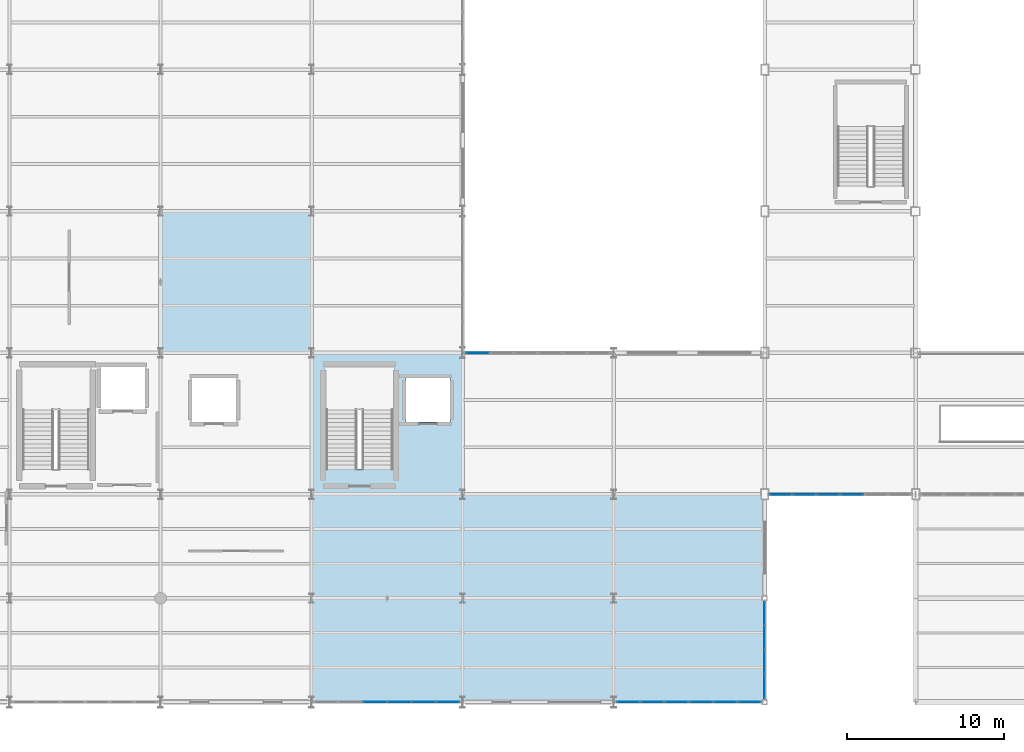
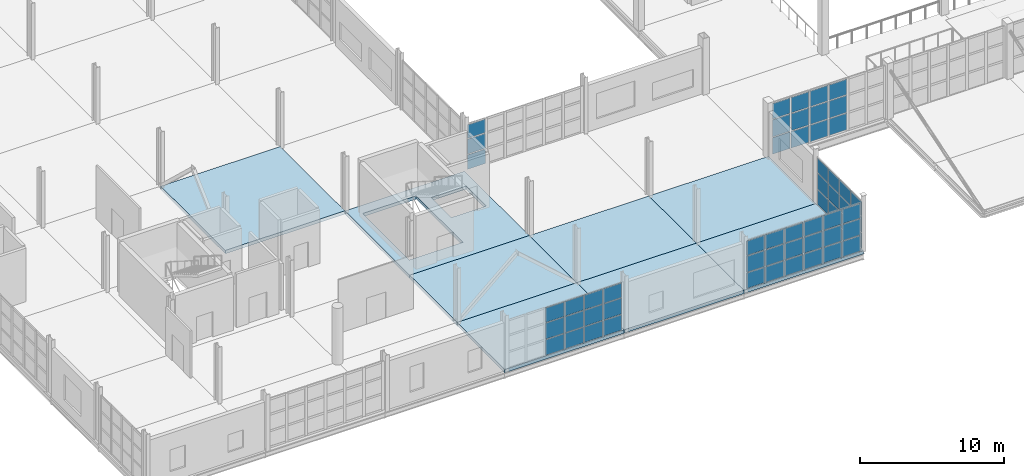
# One storey, part 74 of 120: 57 plates, 8 slabs, 5 elements without a shape of their own.
"""IFC4 building model written with IfcOpenShell, lengths in metres."""

from ifc_helpers import new_model, si_unit, direction, frame, origin, origin_2d, place, context, subcontext, project, spatial, polyline, rectangle, outline, extrude, material, layer, layer_set, type_object, element, aggregate, save


model = new_model("IFC4")

# Units and contexts
model_context = context("Model", 3, precision=1e-05, world=origin(), true_north=direction((0.0, 1.0)))
body_context = subcontext(model_context, "Body", "Model", "MODEL_VIEW")
ifc_project = project(units=[si_unit("LENGTHUNIT", "METRE"), si_unit("AREAUNIT", "SQUARE_METRE"), si_unit("VOLUMEUNIT", "CUBIC_METRE"), si_unit("PLANEANGLEUNIT", "RADIAN"), si_unit("MASSUNIT", "GRAM", prefix="KILO")], contexts=[model_context])

# Site, building, storey
site_placement = place(None, origin())
site = spatial("IfcSite", under=ifc_project, at=site_placement, CompositionType="ELEMENT")
building_placement = place(site_placement, origin())
building = spatial("IfcBuilding", under=site, at=building_placement, Name="Zarnetskaya Central Station", CompositionType="ELEMENT")
storey_placement = place(building_placement, frame((0.0, 0.0, 5.39990234375)))
storey = spatial("IfcBuildingStorey", under=building, at=storey_placement, Name="L01", CompositionType="ELEMENT", Elevation=5.39990234375)

# Curtain wall, plates
ifc_material_1 = material(Name="Low-E insulated glass", Category="glass")
ifc_layer_1 = layer(ifc_material_1, 0.16796875, Name="Low-E insulated glass", Category="glass")
ifc_layer_set_1 = layer_set([ifc_layer_1], Name="Low-E insulated glass")
curtain_wall_type_1 = type_object("IfcCurtainWallType", Name="CW-SYS-03", PredefinedType="USERDEFINED", material=ifc_layer_set_1)
curtain_wall_1_placement = place(storey_placement, origin())
curtain_wall_1 = element("IfcCurtainWall", 1, at=curtain_wall_1_placement, inside=storey, type_object=curtain_wall_type_1, Name="Curtain wall CW-L01-010", ObjectType="CURTAIN WALL", PredefinedType="USERDEFINED")
ifc_layer_2 = layer(ifc_material_1, 0.028076171875, Name="Low-E insulated glass", Category="glass")
ifc_layer_set_2 = layer_set([ifc_layer_2], Name="Low-E insulated glass")
plate_type_1 = type_object("IfcPlateType", Name="CW-PAN-28", PredefinedType="CURTAIN_PANEL", material=ifc_layer_set_2)
plate_1_placement = place(storey_placement, frame((39.344970703125, 22.199951171875, 0.080078125), z_axis=(0.0, 0.0, 1.0), x_axis=(1.0, 0.0, 0.0)))
plate_1 = element("IfcPlate", 2, at=plate_1_placement, type_object=plate_type_1, Name="CW-12 panel 1.1", PredefinedType="CURTAIN_PANEL", context=body_context, shape_type="SweptSolid", body=[
    extrude(rectangle(XDim=1.429931640625, YDim=0.028076171875, at=origin_2d()), origin(), (0.0, 0.0, 1.0), 1.219970703125),
])
plate_2_placement = place(storey_placement, frame((39.344970703125, 22.199951171875, 1.3798828125), z_axis=(0.0, 0.0, 1.0), x_axis=(1.0, 0.0, 0.0)))
plate_2 = element("IfcPlate", 3, at=plate_2_placement, type_object=plate_type_1, Name="CW-12 panel 1.2", PredefinedType="CURTAIN_PANEL", context=body_context, shape_type="SweptSolid", body=[
    extrude(rectangle(XDim=1.429931640625, YDim=0.028076171875, at=origin_2d()), origin(), (0.0, 0.0, 1.0), 1.259033203125),
])
plate_3_placement = place(storey_placement, frame((39.344970703125, 22.199951171875, 2.718994140625), z_axis=(0.0, 0.0, 1.0), x_axis=(1.0, 0.0, 0.0)))
plate_3 = element("IfcPlate", 4, at=plate_3_placement, type_object=plate_type_1, Name="CW-12 panel 1.3", PredefinedType="CURTAIN_PANEL", context=body_context, shape_type="SweptSolid", body=[
    extrude(rectangle(XDim=1.429931640625, YDim=0.028076171875, at=origin_2d()), origin(), (0.0, 0.0, 1.0), 1.14111328125),
])
aggregate(curtain_wall_1, [plate_1, plate_2, plate_3])

ifc_layer_3 = layer(ifc_material_1, 0.176025390625, Name="Low-E insulated glass", Category="glass")
ifc_layer_set_3 = layer_set([ifc_layer_3], Name="Low-E insulated glass")
curtain_wall_type_2 = type_object("IfcCurtainWallType", Name="CW-SYS-05", PredefinedType="USERDEFINED", material=ifc_layer_set_3)
curtain_wall_2_placement = place(storey_placement, origin())
curtain_wall_2 = element("IfcCurtainWall", 5, at=curtain_wall_2_placement, inside=storey, type_object=curtain_wall_type_2, Name="Curtain wall CW-L01-011", ObjectType="CURTAIN WALL", PredefinedType="USERDEFINED")
ifc_layer_4 = layer(ifc_material_1, 0.031982421875, Name="Low-E insulated glass", Category="glass")
ifc_layer_set_4 = layer_set([ifc_layer_4], Name="Low-E insulated glass")
plate_type_2 = type_object("IfcPlateType", Name="CW-PAN-32", PredefinedType="CURTAIN_PANEL", material=ifc_layer_set_4)
plate_4_placement = place(storey_placement, frame((57.60009765625, 5.624267578125, 0.0703125), z_axis=(0.0, 0.0, 1.0), x_axis=(0.0, -1.0, 0.0)))
plate_4 = element("IfcPlate", 6, at=plate_4_placement, type_object=plate_type_2, Name="CW-14 panel 1.1", PredefinedType="CURTAIN_PANEL", context=body_context, shape_type="SweptSolid", body=[
    extrude(rectangle(XDim=1.4560546875, YDim=0.031982421875, at=origin_2d()), origin(), (0.0, 0.0, 1.0), 1.281982421875),
])
plate_5_placement = place(storey_placement, frame((57.60009765625, 5.624267578125, 1.422119140625), z_axis=(0.0, 0.0, 1.0), x_axis=(0.0, -1.0, 0.0)))
plate_5 = element("IfcPlate", 7, at=plate_5_placement, type_object=plate_type_2, Name="CW-14 panel 1.2", PredefinedType="CURTAIN_PANEL", context=body_context, shape_type="SweptSolid", body=[
    extrude(rectangle(XDim=1.4560546875, YDim=0.031982421875, at=origin_2d()), origin(), (0.0, 0.0, 1.0), 1.31689453125),
])
plate_6_placement = place(storey_placement, frame((57.60009765625, 5.624267578125, 2.80908203125), z_axis=(0.0, 0.0, 1.0), x_axis=(0.0, -1.0, 0.0)))
plate_6 = element("IfcPlate", 8, at=plate_6_placement, type_object=plate_type_2, Name="CW-14 panel 1.3", PredefinedType="CURTAIN_PANEL", context=body_context, shape_type="SweptSolid", body=[
    extrude(rectangle(XDim=1.4560546875, YDim=0.031982421875, at=origin_2d()), origin(), (0.0, 0.0, 1.0), 1.200927734375),
])
plate_7_placement = place(storey_placement, frame((57.60009765625, 4.08056640625, 0.0703125), z_axis=(0.0, 0.0, 1.0), x_axis=(0.0, -1.0, 0.0)))
plate_7 = element("IfcPlate", 9, at=plate_7_placement, type_object=plate_type_2, Name="CW-14 panel 2.1", PredefinedType="CURTAIN_PANEL", context=body_context, shape_type="SweptSolid", body=[
    extrude(rectangle(XDim=1.4912109375, YDim=0.031982421875, at=origin_2d()), origin(), (0.0, 0.0, 1.0), 1.281982421875),
])
plate_8_placement = place(storey_placement, frame((57.60009765625, 4.08056640625, 1.422119140625), z_axis=(0.0, 0.0, 1.0), x_axis=(0.0, -1.0, 0.0)))
plate_8 = element("IfcPlate", 10, at=plate_8_placement, type_object=plate_type_2, Name="CW-14 panel 2.2", PredefinedType="CURTAIN_PANEL", context=body_context, shape_type="SweptSolid", body=[
    extrude(rectangle(XDim=1.4912109375, YDim=0.031982421875, at=origin_2d()), origin(), (0.0, 0.0, 1.0), 1.31689453125),
])
plate_9_placement = place(storey_placement, frame((57.60009765625, 4.08056640625, 2.80908203125), z_axis=(0.0, 0.0, 1.0), x_axis=(0.0, -1.0, 0.0)))
plate_9 = element("IfcPlate", 11, at=plate_9_placement, type_object=plate_type_2, Name="CW-14 panel 2.3", PredefinedType="CURTAIN_PANEL", context=body_context, shape_type="SweptSolid", body=[
    extrude(rectangle(XDim=1.4912109375, YDim=0.031982421875, at=origin_2d()), origin(), (0.0, 0.0, 1.0), 1.200927734375),
])
plate_10_placement = place(storey_placement, frame((57.60009765625, 2.51953125, 0.0703125), z_axis=(0.0, 0.0, 1.0), x_axis=(0.0, -1.0, 0.0)))
plate_10 = element("IfcPlate", 12, at=plate_10_placement, type_object=plate_type_2, Name="CW-14 panel 3.1", PredefinedType="CURTAIN_PANEL", context=body_context, shape_type="SweptSolid", body=[
    extrude(rectangle(XDim=1.4912109375, YDim=0.031982421875, at=origin_2d()), origin(), (0.0, 0.0, 1.0), 1.281982421875),
])
plate_11_placement = place(storey_placement, frame((57.60009765625, 2.51953125, 1.422119140625), z_axis=(0.0, 0.0, 1.0), x_axis=(0.0, -1.0, 0.0)))
plate_11 = element("IfcPlate", 13, at=plate_11_placement, type_object=plate_type_2, Name="CW-14 panel 3.2", PredefinedType="CURTAIN_PANEL", context=body_context, shape_type="SweptSolid", body=[
    extrude(rectangle(XDim=1.4912109375, YDim=0.031982421875, at=origin_2d()), origin(), (0.0, 0.0, 1.0), 1.31689453125),
])
plate_12_placement = place(storey_placement, frame((57.60009765625, 2.51953125, 2.80908203125), z_axis=(0.0, 0.0, 1.0), x_axis=(0.0, -1.0, 0.0)))
plate_12 = element("IfcPlate", 14, at=plate_12_placement, type_object=plate_type_2, Name="CW-14 panel 3.3", PredefinedType="CURTAIN_PANEL", context=body_context, shape_type="SweptSolid", body=[
    extrude(rectangle(XDim=1.4912109375, YDim=0.031982421875, at=origin_2d()), origin(), (0.0, 0.0, 1.0), 1.200927734375),
])
plate_13_placement = place(storey_placement, frame((57.60009765625, 0.975830078125, 0.0703125), z_axis=(0.0, 0.0, 1.0), x_axis=(0.0, -1.0, 0.0)))
plate_13 = element("IfcPlate", 15, at=plate_13_placement, type_object=plate_type_2, Name="CW-14 panel 4.1", PredefinedType="CURTAIN_PANEL", context=body_context, shape_type="SweptSolid", body=[
    extrude(rectangle(XDim=1.4560546875, YDim=0.031982421875, at=origin_2d()), origin(), (0.0, 0.0, 1.0), 1.281982421875),
])
plate_14_placement = place(storey_placement, frame((57.60009765625, 0.975830078125, 1.422119140625), z_axis=(0.0, 0.0, 1.0), x_axis=(0.0, -1.0, 0.0)))
plate_14 = element("IfcPlate", 16, at=plate_14_placement, type_object=plate_type_2, Name="CW-14 panel 4.2", PredefinedType="CURTAIN_PANEL", context=body_context, shape_type="SweptSolid", body=[
    extrude(rectangle(XDim=1.4560546875, YDim=0.031982421875, at=origin_2d()), origin(), (0.0, 0.0, 1.0), 1.31689453125),
])
plate_15_placement = place(storey_placement, frame((57.60009765625, 0.975830078125, 2.80908203125), z_axis=(0.0, 0.0, 1.0), x_axis=(0.0, -1.0, 0.0)))
plate_15 = element("IfcPlate", 17, at=plate_15_placement, type_object=plate_type_2, Name="CW-14 panel 4.3", PredefinedType="CURTAIN_PANEL", context=body_context, shape_type="SweptSolid", body=[
    extrude(rectangle(XDim=1.4560546875, YDim=0.031982421875, at=origin_2d()), origin(), (0.0, 0.0, 1.0), 1.200927734375),
])
aggregate(curtain_wall_2, [plate_4, plate_5, plate_6, plate_7, plate_8, plate_9, plate_10, plate_11, plate_12, plate_13, plate_14, plate_15])

curtain_wall_3_placement = place(storey_placement, origin())
curtain_wall_3 = element("IfcCurtainWall", 18, at=curtain_wall_3_placement, inside=storey, type_object=curtain_wall_type_1, Name="Curtain wall CW-L01-012", ObjectType="CURTAIN WALL", PredefinedType="USERDEFINED")
ifc_layer_5 = layer(ifc_material_1, 0.035888671875, Name="Low-E insulated glass", Category="glass")
ifc_layer_set_5 = layer_set([ifc_layer_5], Name="Low-E insulated glass")
plate_type_3 = type_object("IfcPlateType", Name="CW-PAN-36", PredefinedType="CURTAIN_PANEL", material=ifc_layer_set_5)
plate_16_placement = place(storey_placement, frame((56.629638671875, 0.0, 0.080078125), z_axis=(0.0, 0.0, 1.0), x_axis=(-1.0, 0.0, 0.0)))
plate_16 = element("IfcPlate", 19, at=plate_16_placement, type_object=plate_type_3, Name="CW-12 panel 1.1", PredefinedType="CURTAIN_PANEL", context=body_context, shape_type="SweptSolid", body=[
    extrude(rectangle(XDim=1.42529296875, YDim=0.035888671875, at=origin_2d()), origin(), (0.0, 0.0, 1.0), 1.301025390625),
])
plate_17_placement = place(storey_placement, frame((56.629638671875, 0.0, 1.4609375), z_axis=(0.0, 0.0, 1.0), x_axis=(-1.0, 0.0, 0.0)))
plate_17 = element("IfcPlate", 20, at=plate_17_placement, type_object=plate_type_3, Name="CW-12 panel 1.2", PredefinedType="CURTAIN_PANEL", context=body_context, shape_type="SweptSolid", body=[
    extrude(rectangle(XDim=1.42529296875, YDim=0.035888671875, at=origin_2d()), origin(), (0.0, 0.0, 1.0), 1.341064453125),
])
plate_18_placement = place(storey_placement, frame((56.629638671875, 0.0, 2.88232421875), z_axis=(0.0, 0.0, 1.0), x_axis=(-1.0, 0.0, 0.0)))
plate_18 = element("IfcPlate", 21, at=plate_18_placement, type_object=plate_type_3, Name="CW-12 panel 1.3", PredefinedType="CURTAIN_PANEL", context=body_context, shape_type="SweptSolid", body=[
    extrude(rectangle(XDim=1.42529296875, YDim=0.035888671875, at=origin_2d()), origin(), (0.0, 0.0, 1.0), 1.218017578125),
])
plate_19_placement = place(storey_placement, frame((55.104248046875, 0.0, 0.080078125), z_axis=(0.0, 0.0, 1.0), x_axis=(-1.0, 0.0, 0.0)))
plate_19 = element("IfcPlate", 22, at=plate_19_placement, type_object=plate_type_3, Name="CW-12 panel 2.1", PredefinedType="CURTAIN_PANEL", context=body_context, shape_type="SweptSolid", body=[
    extrude(rectangle(XDim=1.46533203125, YDim=0.035888671875, at=origin_2d()), origin(), (0.0, 0.0, 1.0), 1.301025390625),
])
plate_20_placement = place(storey_placement, frame((55.104248046875, 0.0, 1.4609375), z_axis=(0.0, 0.0, 1.0), x_axis=(-1.0, 0.0, 0.0)))
plate_20 = element("IfcPlate", 23, at=plate_20_placement, type_object=plate_type_3, Name="CW-12 panel 2.2", PredefinedType="CURTAIN_PANEL", context=body_context, shape_type="SweptSolid", body=[
    extrude(rectangle(XDim=1.46533203125, YDim=0.035888671875, at=origin_2d()), origin(), (0.0, 0.0, 1.0), 1.341064453125),
])
plate_21_placement = place(storey_placement, frame((55.104248046875, 0.0, 2.88232421875), z_axis=(0.0, 0.0, 1.0), x_axis=(-1.0, 0.0, 0.0)))
plate_21 = element("IfcPlate", 24, at=plate_21_placement, type_object=plate_type_3, Name="CW-12 panel 2.3", PredefinedType="CURTAIN_PANEL", context=body_context, shape_type="SweptSolid", body=[
    extrude(rectangle(XDim=1.46533203125, YDim=0.035888671875, at=origin_2d()), origin(), (0.0, 0.0, 1.0), 1.218017578125),
])
plate_22_placement = place(storey_placement, frame((53.558837890625, 0.0, 0.080078125), z_axis=(0.0, 0.0, 1.0), x_axis=(-1.0, 0.0, 0.0)))
plate_22 = element("IfcPlate", 25, at=plate_22_placement, type_object=plate_type_3, Name="CW-12 panel 3.1", PredefinedType="CURTAIN_PANEL", context=body_context, shape_type="SweptSolid", body=[
    extrude(rectangle(XDim=1.46533203125, YDim=0.035888671875, at=origin_2d()), origin(), (0.0, 0.0, 1.0), 1.301025390625),
])
plate_23_placement = place(storey_placement, frame((53.558837890625, 0.0, 1.4609375), z_axis=(0.0, 0.0, 1.0), x_axis=(-1.0, 0.0, 0.0)))
plate_23 = element("IfcPlate", 26, at=plate_23_placement, type_object=plate_type_3, Name="CW-12 panel 3.2", PredefinedType="CURTAIN_PANEL", context=body_context, shape_type="SweptSolid", body=[
    extrude(rectangle(XDim=1.46533203125, YDim=0.035888671875, at=origin_2d()), origin(), (0.0, 0.0, 1.0), 1.341064453125),
])
plate_24_placement = place(storey_placement, frame((53.558837890625, 0.0, 2.88232421875), z_axis=(0.0, 0.0, 1.0), x_axis=(-1.0, 0.0, 0.0)))
plate_24 = element("IfcPlate", 27, at=plate_24_placement, type_object=plate_type_3, Name="CW-12 panel 3.3", PredefinedType="CURTAIN_PANEL", context=body_context, shape_type="SweptSolid", body=[
    extrude(rectangle(XDim=1.46533203125, YDim=0.035888671875, at=origin_2d()), origin(), (0.0, 0.0, 1.0), 1.218017578125),
])
plate_25_placement = place(storey_placement, frame((52.013427734375, 0.0, 0.080078125), z_axis=(0.0, 0.0, 1.0), x_axis=(-1.0, 0.0, 0.0)))
plate_25 = element("IfcPlate", 28, at=plate_25_placement, type_object=plate_type_3, Name="CW-12 panel 4.1", PredefinedType="CURTAIN_PANEL", context=body_context, shape_type="SweptSolid", body=[
    extrude(rectangle(XDim=1.46533203125, YDim=0.035888671875, at=origin_2d()), origin(), (0.0, 0.0, 1.0), 1.301025390625),
])
plate_26_placement = place(storey_placement, frame((52.013427734375, 0.0, 1.4609375), z_axis=(0.0, 0.0, 1.0), x_axis=(-1.0, 0.0, 0.0)))
plate_26 = element("IfcPlate", 29, at=plate_26_placement, type_object=plate_type_3, Name="CW-12 panel 4.2", PredefinedType="CURTAIN_PANEL", context=body_context, shape_type="SweptSolid", body=[
    extrude(rectangle(XDim=1.46533203125, YDim=0.035888671875, at=origin_2d()), origin(), (0.0, 0.0, 1.0), 1.341064453125),
])
plate_27_placement = place(storey_placement, frame((52.013427734375, 0.0, 2.88232421875), z_axis=(0.0, 0.0, 1.0), x_axis=(-1.0, 0.0, 0.0)))
plate_27 = element("IfcPlate", 30, at=plate_27_placement, type_object=plate_type_3, Name="CW-12 panel 4.3", PredefinedType="CURTAIN_PANEL", context=body_context, shape_type="SweptSolid", body=[
    extrude(rectangle(XDim=1.46533203125, YDim=0.035888671875, at=origin_2d()), origin(), (0.0, 0.0, 1.0), 1.218017578125),
])
plate_28_placement = place(storey_placement, frame((50.468017578125, 0.0, 0.080078125), z_axis=(0.0, 0.0, 1.0), x_axis=(-1.0, 0.0, 0.0)))
plate_28 = element("IfcPlate", 31, at=plate_28_placement, type_object=plate_type_3, Name="CW-12 panel 5.1", PredefinedType="CURTAIN_PANEL", context=body_context, shape_type="SweptSolid", body=[
    extrude(rectangle(XDim=1.46533203125, YDim=0.035888671875, at=origin_2d()), origin(), (0.0, 0.0, 1.0), 1.301025390625),
])
plate_29_placement = place(storey_placement, frame((50.468017578125, 0.0, 1.4609375), z_axis=(0.0, 0.0, 1.0), x_axis=(-1.0, 0.0, 0.0)))
plate_29 = element("IfcPlate", 32, at=plate_29_placement, type_object=plate_type_3, Name="CW-12 panel 5.2", PredefinedType="CURTAIN_PANEL", context=body_context, shape_type="SweptSolid", body=[
    extrude(rectangle(XDim=1.46533203125, YDim=0.035888671875, at=origin_2d()), origin(), (0.0, 0.0, 1.0), 1.341064453125),
])
plate_30_placement = place(storey_placement, frame((50.468017578125, 0.0, 2.88232421875), z_axis=(0.0, 0.0, 1.0), x_axis=(-1.0, 0.0, 0.0)))
plate_30 = element("IfcPlate", 33, at=plate_30_placement, type_object=plate_type_3, Name="CW-12 panel 5.3", PredefinedType="CURTAIN_PANEL", context=body_context, shape_type="SweptSolid", body=[
    extrude(rectangle(XDim=1.46533203125, YDim=0.035888671875, at=origin_2d()), origin(), (0.0, 0.0, 1.0), 1.218017578125),
])
plate_31_placement = place(storey_placement, frame((48.942626953125, 0.0, 0.080078125), z_axis=(0.0, 0.0, 1.0), x_axis=(-1.0, 0.0, 0.0)))
plate_31 = element("IfcPlate", 34, at=plate_31_placement, type_object=plate_type_3, Name="CW-12 panel 6.1", PredefinedType="CURTAIN_PANEL", context=body_context, shape_type="SweptSolid", body=[
    extrude(rectangle(XDim=1.42529296875, YDim=0.035888671875, at=origin_2d()), origin(), (0.0, 0.0, 1.0), 1.301025390625),
])
plate_32_placement = place(storey_placement, frame((48.942626953125, 0.0, 1.4609375), z_axis=(0.0, 0.0, 1.0), x_axis=(-1.0, 0.0, 0.0)))
plate_32 = element("IfcPlate", 35, at=plate_32_placement, type_object=plate_type_3, Name="CW-12 panel 6.2", PredefinedType="CURTAIN_PANEL", context=body_context, shape_type="SweptSolid", body=[
    extrude(rectangle(XDim=1.42529296875, YDim=0.035888671875, at=origin_2d()), origin(), (0.0, 0.0, 1.0), 1.341064453125),
])
plate_33_placement = place(storey_placement, frame((48.942626953125, 0.0, 2.88232421875), z_axis=(0.0, 0.0, 1.0), x_axis=(-1.0, 0.0, 0.0)))
plate_33 = element("IfcPlate", 36, at=plate_33_placement, type_object=plate_type_3, Name="CW-12 panel 6.3", PredefinedType="CURTAIN_PANEL", context=body_context, shape_type="SweptSolid", body=[
    extrude(rectangle(XDim=1.42529296875, YDim=0.035888671875, at=origin_2d()), origin(), (0.0, 0.0, 1.0), 1.218017578125),
])
aggregate(curtain_wall_3, [plate_16, plate_17, plate_18, plate_19, plate_20, plate_21, plate_22, plate_23, plate_24, plate_25, plate_26, plate_27, plate_28, plate_29, plate_30, plate_31, plate_32, plate_33])

curtain_wall_4_placement = place(storey_placement, origin())
curtain_wall_4 = element("IfcCurtainWall", 37, at=curtain_wall_4_placement, inside=storey, type_object=curtain_wall_type_2, Name="Curtain wall CW-L01-013", ObjectType="CURTAIN WALL", PredefinedType="USERDEFINED")
ifc_layer_6 = layer(ifc_material_1, 0.0400390625, Name="Low-E insulated glass", Category="glass")
ifc_layer_set_6 = layer_set([ifc_layer_6], Name="Low-E insulated glass")
plate_type_4 = type_object("IfcPlateType", Name="CW-PAN-40", PredefinedType="CURTAIN_PANEL", material=ifc_layer_set_6)
plate_34_placement = place(storey_placement, frame((37.45751953125, 0.0, 0.0703125), z_axis=(0.0, 0.0, 1.0), x_axis=(-1.0, 0.0, 0.0)))
plate_34 = element("IfcPlate", 38, at=plate_34_placement, type_object=plate_type_4, Name="CW-14 panel 1.1", PredefinedType="CURTAIN_PANEL", context=body_context, shape_type="SweptSolid", body=[
    extrude(rectangle(XDim=1.445068359375, YDim=0.0400390625, at=origin_2d()), origin(), (0.0, 0.0, 1.0), 1.302978515625),
])
plate_35_placement = place(storey_placement, frame((37.45751953125, 0.0, 1.443115234375), z_axis=(0.0, 0.0, 1.0), x_axis=(-1.0, 0.0, 0.0)))
plate_35 = element("IfcPlate", 39, at=plate_35_placement, type_object=plate_type_4, Name="CW-14 panel 1.2", PredefinedType="CURTAIN_PANEL", context=body_context, shape_type="SweptSolid", body=[
    extrude(rectangle(XDim=1.445068359375, YDim=0.0400390625, at=origin_2d()), origin(), (0.0, 0.0, 1.0), 1.3369140625),
])
plate_36_placement = place(storey_placement, frame((37.45751953125, 0.0, 2.85009765625), z_axis=(0.0, 0.0, 1.0), x_axis=(-1.0, 0.0, 0.0)))
plate_36 = element("IfcPlate", 40, at=plate_36_placement, type_object=plate_type_4, Name="CW-14 panel 1.3", PredefinedType="CURTAIN_PANEL", context=body_context, shape_type="SweptSolid", body=[
    extrude(rectangle(XDim=1.445068359375, YDim=0.0400390625, at=origin_2d()), origin(), (0.0, 0.0, 1.0), 1.219970703125),
])
plate_37_placement = place(storey_placement, frame((35.925048828125, 0.0, 0.0703125), z_axis=(0.0, 0.0, 1.0), x_axis=(-1.0, 0.0, 0.0)))
plate_37 = element("IfcPlate", 41, at=plate_37_placement, type_object=plate_type_4, Name="CW-14 panel 2.1", PredefinedType="CURTAIN_PANEL", context=body_context, shape_type="SweptSolid", body=[
    extrude(rectangle(XDim=1.47998046875, YDim=0.0400390625, at=origin_2d()), origin(), (0.0, 0.0, 1.0), 1.302978515625),
])
plate_38_placement = place(storey_placement, frame((35.925048828125, 0.0, 1.443115234375), z_axis=(0.0, 0.0, 1.0), x_axis=(-1.0, 0.0, 0.0)))
plate_38 = element("IfcPlate", 42, at=plate_38_placement, type_object=plate_type_4, Name="CW-14 panel 2.2", PredefinedType="CURTAIN_PANEL", context=body_context, shape_type="SweptSolid", body=[
    extrude(rectangle(XDim=1.47998046875, YDim=0.0400390625, at=origin_2d()), origin(), (0.0, 0.0, 1.0), 1.3369140625),
])
plate_39_placement = place(storey_placement, frame((35.925048828125, 0.0, 2.85009765625), z_axis=(0.0, 0.0, 1.0), x_axis=(-1.0, 0.0, 0.0)))
plate_39 = element("IfcPlate", 43, at=plate_39_placement, type_object=plate_type_4, Name="CW-14 panel 2.3", PredefinedType="CURTAIN_PANEL", context=body_context, shape_type="SweptSolid", body=[
    extrude(rectangle(XDim=1.47998046875, YDim=0.0400390625, at=origin_2d()), origin(), (0.0, 0.0, 1.0), 1.219970703125),
])
plate_40_placement = place(storey_placement, frame((34.375, 0.0, 0.0703125), z_axis=(0.0, 0.0, 1.0), x_axis=(-1.0, 0.0, 0.0)))
plate_40 = element("IfcPlate", 44, at=plate_40_placement, type_object=plate_type_4, Name="CW-14 panel 3.1", PredefinedType="CURTAIN_PANEL", context=body_context, shape_type="SweptSolid", body=[
    extrude(rectangle(XDim=1.47998046875, YDim=0.0400390625, at=origin_2d()), origin(), (0.0, 0.0, 1.0), 1.302978515625),
])
plate_41_placement = place(storey_placement, frame((34.375, 0.0, 1.443115234375), z_axis=(0.0, 0.0, 1.0), x_axis=(-1.0, 0.0, 0.0)))
plate_41 = element("IfcPlate", 45, at=plate_41_placement, type_object=plate_type_4, Name="CW-14 panel 3.2", PredefinedType="CURTAIN_PANEL", context=body_context, shape_type="SweptSolid", body=[
    extrude(rectangle(XDim=1.47998046875, YDim=0.0400390625, at=origin_2d()), origin(), (0.0, 0.0, 1.0), 1.3369140625),
])
plate_42_placement = place(storey_placement, frame((34.375, 0.0, 2.85009765625), z_axis=(0.0, 0.0, 1.0), x_axis=(-1.0, 0.0, 0.0)))
plate_42 = element("IfcPlate", 46, at=plate_42_placement, type_object=plate_type_4, Name="CW-14 panel 3.3", PredefinedType="CURTAIN_PANEL", context=body_context, shape_type="SweptSolid", body=[
    extrude(rectangle(XDim=1.47998046875, YDim=0.0400390625, at=origin_2d()), origin(), (0.0, 0.0, 1.0), 1.219970703125),
])
plate_43_placement = place(storey_placement, frame((32.824951171875, 0.0, 0.0703125), z_axis=(0.0, 0.0, 1.0), x_axis=(-1.0, 0.0, 0.0)))
plate_43 = element("IfcPlate", 47, at=plate_43_placement, type_object=plate_type_4, Name="CW-14 panel 4.1", PredefinedType="CURTAIN_PANEL", context=body_context, shape_type="SweptSolid", body=[
    extrude(rectangle(XDim=1.47998046875, YDim=0.0400390625, at=origin_2d()), origin(), (0.0, 0.0, 1.0), 1.302978515625),
])
plate_44_placement = place(storey_placement, frame((32.824951171875, 0.0, 1.443115234375), z_axis=(0.0, 0.0, 1.0), x_axis=(-1.0, 0.0, 0.0)))
plate_44 = element("IfcPlate", 48, at=plate_44_placement, type_object=plate_type_4, Name="CW-14 panel 4.2", PredefinedType="CURTAIN_PANEL", context=body_context, shape_type="SweptSolid", body=[
    extrude(rectangle(XDim=1.47998046875, YDim=0.0400390625, at=origin_2d()), origin(), (0.0, 0.0, 1.0), 1.3369140625),
])
plate_45_placement = place(storey_placement, frame((32.824951171875, 0.0, 2.85009765625), z_axis=(0.0, 0.0, 1.0), x_axis=(-1.0, 0.0, 0.0)))
plate_45 = element("IfcPlate", 49, at=plate_45_placement, type_object=plate_type_4, Name="CW-14 panel 4.3", PredefinedType="CURTAIN_PANEL", context=body_context, shape_type="SweptSolid", body=[
    extrude(rectangle(XDim=1.47998046875, YDim=0.0400390625, at=origin_2d()), origin(), (0.0, 0.0, 1.0), 1.219970703125),
])
aggregate(curtain_wall_4, [plate_34, plate_35, plate_36, plate_37, plate_38, plate_39, plate_40, plate_41, plate_42, plate_43, plate_44, plate_45])

ifc_layer_7 = layer(ifc_material_1, 0.16796875, Name="Low-E insulated glass", Category="glass")
ifc_layer_set_7 = layer_set([ifc_layer_7], Name="Low-E insulated glass")
curtain_wall_type_3 = type_object("IfcCurtainWallType", Name="CW-SYS-08", PredefinedType="USERDEFINED", material=ifc_layer_set_7)
curtain_wall_5_placement = place(storey_placement, origin())
curtain_wall_5 = element("IfcCurtainWall", 50, at=curtain_wall_5_placement, inside=storey, type_object=curtain_wall_type_3, Name="Curtain wall CW-L01-074", ObjectType="CURTAIN WALL", PredefinedType="USERDEFINED")
ifc_layer_8 = layer(ifc_material_1, 0.0439453125, Name="Low-E insulated glass", Category="glass")
ifc_layer_set_8 = layer_set([ifc_layer_8], Name="Low-E insulated glass")
plate_type_5 = type_object("IfcPlateType", Name="CW-PAN-44", PredefinedType="CURTAIN_PANEL", material=ifc_layer_set_8)
plate_46_placement = place(storey_placement, frame((63.158447265625, 13.199951171875, 0.080078125), z_axis=(0.0, 0.0, 1.0), x_axis=(-1.0, 0.0, 0.0)))
plate_46 = element("IfcPlate", 51, at=plate_46_placement, type_object=plate_type_5, Name="CW-16 panel 3.1", PredefinedType="CURTAIN_PANEL", context=body_context, shape_type="SweptSolid", body=[
    extrude(rectangle(XDim=1.436767578125, YDim=0.0439453125, at=origin_2d()), origin(), (0.0, 0.0, 1.0), 1.39306640625),
])
plate_47_placement = place(storey_placement, frame((63.158447265625, 13.199951171875, 1.552978515625), z_axis=(0.0, 0.0, 1.0), x_axis=(-1.0, 0.0, 0.0)))
plate_47 = element("IfcPlate", 52, at=plate_47_placement, type_object=plate_type_5, Name="CW-16 panel 3.2", PredefinedType="CURTAIN_PANEL", context=body_context, shape_type="SweptSolid", body=[
    extrude(rectangle(XDim=1.436767578125, YDim=0.0439453125, at=origin_2d()), origin(), (0.0, 0.0, 1.0), 1.43310546875),
])
plate_48_placement = place(storey_placement, frame((63.158447265625, 13.199951171875, 3.06591796875), z_axis=(0.0, 0.0, 1.0), x_axis=(-1.0, 0.0, 0.0)))
plate_48 = element("IfcPlate", 53, at=plate_48_placement, type_object=plate_type_5, Name="CW-16 panel 3.3", PredefinedType="CURTAIN_PANEL", context=body_context, shape_type="SweptSolid", body=[
    extrude(rectangle(XDim=1.436767578125, YDim=0.0439453125, at=origin_2d()), origin(), (0.0, 0.0, 1.0), 1.303955078125),
])
plate_49_placement = place(storey_placement, frame((61.6416015625, 13.199951171875, 0.080078125), z_axis=(0.0, 0.0, 1.0), x_axis=(-1.0, 0.0, 0.0)))
plate_49 = element("IfcPlate", 54, at=plate_49_placement, type_object=plate_type_5, Name="CW-16 panel 4.1", PredefinedType="CURTAIN_PANEL", context=body_context, shape_type="SweptSolid", body=[
    extrude(rectangle(XDim=1.436767578125, YDim=0.0439453125, at=origin_2d()), origin(), (0.0, 0.0, 1.0), 1.39306640625),
])
plate_50_placement = place(storey_placement, frame((61.6416015625, 13.199951171875, 1.552978515625), z_axis=(0.0, 0.0, 1.0), x_axis=(-1.0, 0.0, 0.0)))
plate_50 = element("IfcPlate", 55, at=plate_50_placement, type_object=plate_type_5, Name="CW-16 panel 4.2", PredefinedType="CURTAIN_PANEL", context=body_context, shape_type="SweptSolid", body=[
    extrude(rectangle(XDim=1.436767578125, YDim=0.0439453125, at=origin_2d()), origin(), (0.0, 0.0, 1.0), 1.43310546875),
])
plate_51_placement = place(storey_placement, frame((61.6416015625, 13.199951171875, 3.06591796875), z_axis=(0.0, 0.0, 1.0), x_axis=(-1.0, 0.0, 0.0)))
plate_51 = element("IfcPlate", 56, at=plate_51_placement, type_object=plate_type_5, Name="CW-16 panel 4.3", PredefinedType="CURTAIN_PANEL", context=body_context, shape_type="SweptSolid", body=[
    extrude(rectangle(XDim=1.436767578125, YDim=0.0439453125, at=origin_2d()), origin(), (0.0, 0.0, 1.0), 1.303955078125),
])
plate_52_placement = place(storey_placement, frame((60.125, 13.199951171875, 0.080078125), z_axis=(0.0, 0.0, 1.0), x_axis=(-1.0, 0.0, 0.0)))
plate_52 = element("IfcPlate", 57, at=plate_52_placement, type_object=plate_type_5, Name="CW-16 panel 5.1", PredefinedType="CURTAIN_PANEL", context=body_context, shape_type="SweptSolid", body=[
    extrude(rectangle(XDim=1.436767578125, YDim=0.0439453125, at=origin_2d()), origin(), (0.0, 0.0, 1.0), 1.39306640625),
])
plate_53_placement = place(storey_placement, frame((60.125, 13.199951171875, 1.552978515625), z_axis=(0.0, 0.0, 1.0), x_axis=(-1.0, 0.0, 0.0)))
plate_53 = element("IfcPlate", 58, at=plate_53_placement, type_object=plate_type_5, Name="CW-16 panel 5.2", PredefinedType="CURTAIN_PANEL", context=body_context, shape_type="SweptSolid", body=[
    extrude(rectangle(XDim=1.436767578125, YDim=0.0439453125, at=origin_2d()), origin(), (0.0, 0.0, 1.0), 1.43310546875),
])
plate_54_placement = place(storey_placement, frame((60.125, 13.199951171875, 3.06591796875), z_axis=(0.0, 0.0, 1.0), x_axis=(-1.0, 0.0, 0.0)))
plate_54 = element("IfcPlate", 59, at=plate_54_placement, type_object=plate_type_5, Name="CW-16 panel 5.3", PredefinedType="CURTAIN_PANEL", context=body_context, shape_type="SweptSolid", body=[
    extrude(rectangle(XDim=1.436767578125, YDim=0.0439453125, at=origin_2d()), origin(), (0.0, 0.0, 1.0), 1.303955078125),
])
plate_55_placement = place(storey_placement, frame((58.62841796875, 13.199951171875, 0.080078125), z_axis=(0.0, 0.0, 1.0), x_axis=(-1.0, 0.0, 0.0)))
plate_55 = element("IfcPlate", 60, at=plate_55_placement, type_object=plate_type_5, Name="CW-16 panel 6.1", PredefinedType="CURTAIN_PANEL", context=body_context, shape_type="SweptSolid", body=[
    extrude(rectangle(XDim=1.396728515625, YDim=0.0439453125, at=origin_2d()), origin(), (0.0, 0.0, 1.0), 1.39306640625),
])
plate_56_placement = place(storey_placement, frame((58.62841796875, 13.199951171875, 1.552978515625), z_axis=(0.0, 0.0, 1.0), x_axis=(-1.0, 0.0, 0.0)))
plate_56 = element("IfcPlate", 61, at=plate_56_placement, type_object=plate_type_5, Name="CW-16 panel 6.2", PredefinedType="CURTAIN_PANEL", context=body_context, shape_type="SweptSolid", body=[
    extrude(rectangle(XDim=1.396728515625, YDim=0.0439453125, at=origin_2d()), origin(), (0.0, 0.0, 1.0), 1.43310546875),
])
plate_57_placement = place(storey_placement, frame((58.62841796875, 13.199951171875, 3.06591796875), z_axis=(0.0, 0.0, 1.0), x_axis=(-1.0, 0.0, 0.0)))
plate_57 = element("IfcPlate", 62, at=plate_57_placement, type_object=plate_type_5, Name="CW-16 panel 6.3", PredefinedType="CURTAIN_PANEL", context=body_context, shape_type="SweptSolid", body=[
    extrude(rectangle(XDim=1.396728515625, YDim=0.0439453125, at=origin_2d()), origin(), (0.0, 0.0, 1.0), 1.303955078125),
])
aggregate(curtain_wall_5, [plate_46, plate_47, plate_48, plate_49, plate_50, plate_51, plate_52, plate_53, plate_54, plate_55, plate_56, plate_57])

# Slabs
ifc_material_2 = material(Name="Concrete C30/37", Category="concrete")
ifc_layer_9 = layer(ifc_material_2, 0.280029296875, Name="Concrete C30/37", Category="concrete")
ifc_layer_set_9 = layer_set([ifc_layer_9], Name="Concrete C30/37")
slab_type = type_object("IfcSlabType", Name="SLAB-BRG-280", PredefinedType="FLOOR", material=ifc_layer_set_9)
slab_1_placement = place(storey_placement, frame((0.0, 0.0, -0.27978515625)))
element("IfcSlab", 63, at=slab_1_placement, inside=storey, type_object=slab_type, Name="L01 slab C-D/4-5", PredefinedType="FLOOR", context=body_context, shape_type="SweptSolid", body=[
    extrude(outline(polyline([(19.199951171875, 22.199951171875), (28.800048828125, 22.199951171875), (28.800048828125, 31.199951171875), (19.199951171875, 31.199951171875), (19.199951171875, 22.199951171875)])), origin(), (0.0, 0.0, 1.0), 0.27978515625),
])
slab_2_placement = place(storey_placement, frame((0.0, 0.0, -0.27978515625)))
element("IfcSlab", 64, at=slab_2_placement, inside=storey, type_object=slab_type, Name="L01 slab D-E/1-2", PredefinedType="FLOOR", context=body_context, shape_type="SweptSolid", body=[
    extrude(outline(polyline([(28.800048828125, 0.0), (38.39990234375, 0.0), (38.39990234375, 6.60009765625), (28.800048828125, 6.60009765625), (28.800048828125, 0.0)])), origin(), (0.0, 0.0, 1.0), 0.27978515625),
])
slab_3_placement = place(storey_placement, frame((0.0, 0.0, -0.27978515625)))
element("IfcSlab", 65, at=slab_3_placement, inside=storey, type_object=slab_type, Name="L01 slab D-E/2-3", PredefinedType="FLOOR", context=body_context, shape_type="SweptSolid", body=[
    extrude(outline(polyline([(28.800048828125, 6.60009765625), (38.39990234375, 6.60009765625), (38.39990234375, 13.199951171875), (28.800048828125, 13.199951171875), (28.800048828125, 6.60009765625)])), origin(), (0.0, 0.0, 1.0), 0.27978515625),
])
slab_4_placement = place(storey_placement, frame((0.0, 0.0, -0.27978515625)))
element("IfcSlab", 66, at=slab_4_placement, inside=storey, type_object=slab_type, Name="L01 slab D-E/3-4", PredefinedType="FLOOR", context=body_context, shape_type="SweptSolid", body=[
    extrude(outline(polyline([(28.800048828125, 13.199951171875), (38.39990234375, 13.199951171875), (38.39990234375, 22.199951171875), (28.800048828125, 22.199951171875), (28.800048828125, 13.199951171875)]), holes=[polyline([(29.699951171875, 14.804931640625), (34.0, 14.804931640625), (34.0, 21.300048828125), (29.699951171875, 21.300048828125), (29.699951171875, 14.804931640625)]), polyline([(34.800048828125, 17.800048828125), (37.60009765625, 17.800048828125), (37.60009765625, 20.60009765625), (34.800048828125, 20.60009765625), (34.800048828125, 17.800048828125)])]), origin(), (0.0, 0.0, 1.0), 0.27978515625),
])
slab_5_placement = place(storey_placement, frame((0.0, 0.0, -0.27978515625)))
element("IfcSlab", 67, at=slab_5_placement, inside=storey, type_object=slab_type, Name="L01 slab E-F/1-2", PredefinedType="FLOOR", context=body_context, shape_type="SweptSolid", body=[
    extrude(outline(polyline([(38.39990234375, 0.0), (48.0, 0.0), (48.0, 6.60009765625), (38.39990234375, 6.60009765625), (38.39990234375, 0.0)])), origin(), (0.0, 0.0, 1.0), 0.27978515625),
])
slab_6_placement = place(storey_placement, frame((0.0, 0.0, -0.27978515625)))
element("IfcSlab", 68, at=slab_6_placement, inside=storey, type_object=slab_type, Name="L01 slab E-F/2-3", PredefinedType="FLOOR", context=body_context, shape_type="SweptSolid", body=[
    extrude(outline(polyline([(38.39990234375, 6.60009765625), (48.0, 6.60009765625), (48.0, 13.199951171875), (38.39990234375, 13.199951171875), (38.39990234375, 6.60009765625)])), origin(), (0.0, 0.0, 1.0), 0.27978515625),
])
slab_7_placement = place(storey_placement, frame((0.0, 0.0, -0.27978515625)))
element("IfcSlab", 69, at=slab_7_placement, inside=storey, type_object=slab_type, Name="L01 slab F-G/1-2", PredefinedType="FLOOR", context=body_context, shape_type="SweptSolid", body=[
    extrude(outline(polyline([(48.0, 0.0), (57.60009765625, 0.0), (57.60009765625, 6.60009765625), (48.0, 6.60009765625), (48.0, 0.0)])), origin(), (0.0, 0.0, 1.0), 0.27978515625),
])
slab_8_placement = place(storey_placement, frame((0.0, 0.0, -0.27978515625)))
element("IfcSlab", 70, at=slab_8_placement, inside=storey, type_object=slab_type, Name="L01 slab F-G/2-3", PredefinedType="FLOOR", context=body_context, shape_type="SweptSolid", body=[
    extrude(outline(polyline([(48.0, 6.60009765625), (57.60009765625, 6.60009765625), (57.60009765625, 13.199951171875), (48.0, 13.199951171875), (48.0, 6.60009765625)])), origin(), (0.0, 0.0, 1.0), 0.27978515625),
])

save(model, "model.ifc")
